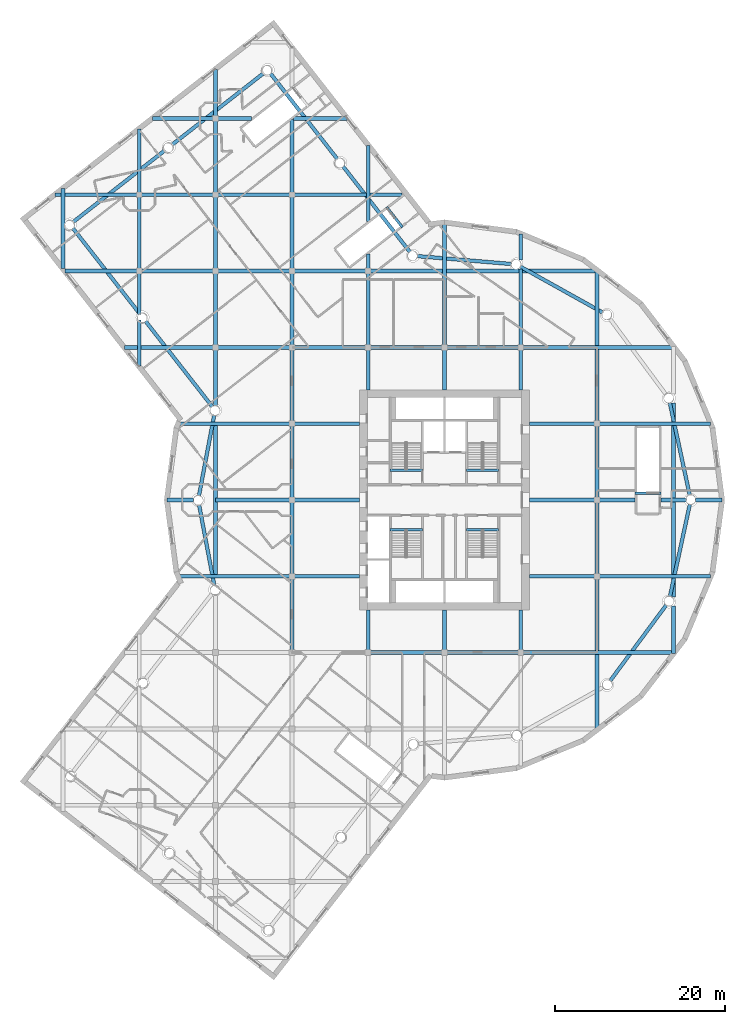
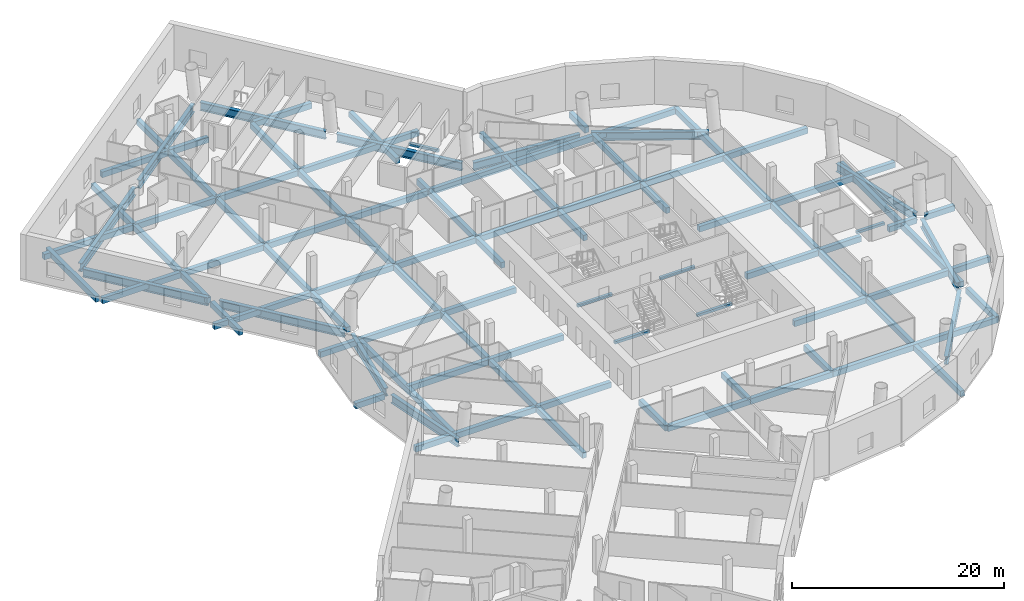
# One storey, part 2 of 15: 91 beams.
"""IFC4 building model written with IfcOpenShell, lengths in metres."""

from ifc_helpers import new_model, si_unit, direction, frame, origin, origin_2d, place, context, subcontext, project, spatial, rectangle, i_section, extrude, material, material_profile, profile_set, type_object, element, save


model = new_model("IFC4")

# Units and contexts
model_context = context("Model", 3, precision=1e-05, world=origin(), true_north=direction((0.0, 1.0)))
body_context = subcontext(model_context, "Body", "Model", "MODEL_VIEW")
ifc_project = project(units=[si_unit("LENGTHUNIT", "METRE"), si_unit("AREAUNIT", "SQUARE_METRE"), si_unit("VOLUMEUNIT", "CUBIC_METRE"), si_unit("PLANEANGLEUNIT", "RADIAN"), si_unit("MASSUNIT", "GRAM", prefix="KILO")], contexts=[model_context])

# Site, building, storey
site_placement = place(None, origin())
site = spatial("IfcSite", under=ifc_project, at=site_placement, CompositionType="ELEMENT")
building_placement = place(site_placement, origin())
building = spatial("IfcBuilding", under=site, at=building_placement, Name="Tarsis Ring Headquarters", CompositionType="ELEMENT")
storey_placement = place(building_placement, frame((0.0, 0.0, 30.0)))
storey = spatial("IfcBuildingStorey", under=building, at=storey_placement, Name="L05", CompositionType="ELEMENT", Elevation=30.0)

# Beams
ifc_material_1 = material(Name="Concrete C40/50", Category="concrete")
ifc_material_profile_1 = material_profile(ifc_material_1, rectangle(XDim=0.449951171875, YDim=0.64990234375, at=origin_2d()), Name="PO-B450")
ifc_profile_set_1 = profile_set([ifc_material_profile_1], Name="Concrete C40/50")
beam_type_1 = type_object("IfcBeamType", Name="PO-B450", PredefinedType="BEAM", material=ifc_profile_set_1)
beam_1_placement = place(storey_placement, frame((-45.0, 27.3046875, -0.574951171875), z_axis=(0.0, 1.0, 0.0), x_axis=(-1.0, 0.0, 0.0)))
element("IfcBeam", 1, at=beam_1_placement, inside=storey, type_object=beam_type_1, Name="L05 floor beam 2", PredefinedType="BEAM", context=body_context, shape_type="SweptSolid", body=[
    extrude(rectangle(XDim=0.449951171875, YDim=0.64990234375, at=origin_2d()), origin(), (0.0, 0.0, 1.0), 9.42724609375),
])
beam_2_placement = place(storey_placement, frame((-36.0, 15.78515625, -0.574951171875), z_axis=(0.0, 1.0, 0.0), x_axis=(-1.0, 0.0, 0.0)))
element("IfcBeam", 2, at=beam_2_placement, inside=storey, type_object=beam_type_1, Name="L05 floor beam 7", PredefinedType="BEAM", context=body_context, shape_type="SweptSolid", body=[
    extrude(rectangle(XDim=0.449951171875, YDim=0.64990234375, at=origin_2d()), origin(), (0.0, 0.0, 1.0), 5.44140625),
])
beam_3_placement = place(storey_placement, frame((-36.0, 21.853515625, -0.574951171875), z_axis=(0.0, 1.0, 0.0), x_axis=(-1.0, 0.0, 0.0)))
element("IfcBeam", 3, at=beam_3_placement, inside=storey, type_object=beam_type_1, Name="L05 floor beam 8", PredefinedType="BEAM", context=body_context, shape_type="SweptSolid", body=[
    extrude(rectangle(XDim=0.449951171875, YDim=0.64990234375, at=origin_2d()), origin(), (0.0, 0.0, 1.0), 5.146484375),
])
beam_4_placement = place(storey_placement, frame((-36.0, 27.0, -0.574951171875), z_axis=(0.0, 1.0, 0.0), x_axis=(-1.0, 0.0, 0.0)))
element("IfcBeam", 4, at=beam_4_placement, inside=storey, type_object=beam_type_1, Name="L05 floor beam 9", PredefinedType="BEAM", context=body_context, shape_type="SweptSolid", body=[
    extrude(rectangle(XDim=0.449951171875, YDim=0.64990234375, at=origin_2d()), origin(), (0.0, 0.0, 1.0), 9.0),
])
beam_5_placement = place(storey_placement, frame((-36.0, 36.0, -0.574951171875), z_axis=(0.0, 1.0, 0.0), x_axis=(-1.0, 0.0, 0.0)))
element("IfcBeam", 5, at=beam_5_placement, inside=storey, type_object=beam_type_1, Name="L05 floor beam 10", PredefinedType="BEAM", context=body_context, shape_type="SweptSolid", body=[
    extrude(rectangle(XDim=0.449951171875, YDim=0.64990234375, at=origin_2d()), origin(), (0.0, 0.0, 1.0), 7.763671875),
])
beam_6_placement = place(storey_placement, frame((-27.0, -9.0, -0.574951171875), z_axis=(0.0, 1.0, 0.0), x_axis=(-1.0, 0.0, 0.0)))
element("IfcBeam", 6, at=beam_6_placement, inside=storey, type_object=beam_type_1, Name="L05 floor beam 16", PredefinedType="BEAM", context=body_context, shape_type="SweptSolid", body=[
    extrude(rectangle(XDim=0.449951171875, YDim=0.64990234375, at=origin_2d()), origin(), (0.0, 0.0, 1.0), 18.0),
])
beam_7_placement = place(storey_placement, frame((-27.0, 11.082275390625, -0.574951171875), z_axis=(0.0, 1.0, 0.0), x_axis=(-1.0, 0.0, 0.0)))
element("IfcBeam", 7, at=beam_7_placement, inside=storey, type_object=beam_type_1, Name="L05 floor beam 17", PredefinedType="BEAM", context=body_context, shape_type="SweptSolid", body=[
    extrude(rectangle(XDim=0.449951171875, YDim=0.64990234375, at=origin_2d()), origin(), (0.0, 0.0, 1.0), 6.917724609375),
])
for number, where, z_axis, x_axis, name in (
    (8, (-27.0, 18.0, -0.574951171875), (0.0, 1.0, 0.0), (-1.0, 0.0, 0.0), "L05 floor beam 18"),
    (9, (-27.0, 27.0, -0.574951171875), (0.0, 1.0, 0.0), (-1.0, 0.0, 0.0), "L05 floor beam 19"),
    (10, (-27.0, 36.0, -0.574951171875), (0.0, 1.0, 0.0), (-1.0, 0.0, 0.0), "L05 floor beam 20"),
):
    element("IfcBeam", number, at=place(storey_placement, frame(where, z_axis=z_axis, x_axis=x_axis)), inside=storey, type_object=beam_type_1, Name=name, PredefinedType="BEAM", context=body_context, shape_type="SweptSolid", body=[
        extrude(rectangle(XDim=0.449951171875, YDim=0.64990234375, at=origin_2d()), origin(), (0.0, 0.0, 1.0), 9.0),
    ])
beam_8_placement = place(storey_placement, frame((-27.0, 45.0, -0.574951171875), z_axis=(0.0, 1.0, 0.0), x_axis=(-1.0, 0.0, 0.0)))
element("IfcBeam", 11, at=beam_8_placement, inside=storey, type_object=beam_type_1, Name="L05 floor beam 21", PredefinedType="BEAM", context=body_context, shape_type="SweptSolid", body=[
    extrude(rectangle(XDim=0.449951171875, YDim=0.64990234375, at=origin_2d()), origin(), (0.0, 0.0, 1.0), 5.795166015625),
])
for number, where, z_axis, x_axis, name in (
    (12, (-18.0, -18.0, -0.574951171875), (0.0, 1.0, 0.0), (-1.0, 0.0, 0.0), "L05 floor beam 26"),
    (13, (-18.0, -9.0, -0.574951171875), (0.0, 1.0, 0.0), (-1.0, 0.0, 0.0), "L05 floor beam 27"),
    (14, (-18.0, 0.0, -0.574951171875), (0.0, 1.0, 0.0), (-1.0, 0.0, 0.0), "L05 floor beam 28"),
    (15, (-18.0, 9.0, -0.574951171875), (0.0, 1.0, 0.0), (-1.0, 0.0, 0.0), "L05 floor beam 29"),
    (16, (-18.0, 18.0, -0.574951171875), (0.0, 1.0, 0.0), (-1.0, 0.0, 0.0), "L05 floor beam 30"),
    (17, (-18.0, 27.0, -0.574951171875), (0.0, 1.0, 0.0), (-1.0, 0.0, 0.0), "L05 floor beam 31"),
):
    element("IfcBeam", number, at=place(storey_placement, frame(where, z_axis=z_axis, x_axis=x_axis)), inside=storey, type_object=beam_type_1, Name=name, PredefinedType="BEAM", context=body_context, shape_type="SweptSolid", body=[
        extrude(rectangle(XDim=0.449951171875, YDim=0.64990234375, at=origin_2d()), origin(), (0.0, 0.0, 1.0), 9.0),
    ])
beam_9_placement = place(storey_placement, frame((-18.0, 36.0, -0.574951171875), z_axis=(0.0, 1.0, 0.0), x_axis=(-1.0, 0.0, 0.0)))
element("IfcBeam", 18, at=beam_9_placement, inside=storey, type_object=beam_type_1, Name="L05 floor beam 32", PredefinedType="BEAM", context=body_context, shape_type="SweptSolid", body=[
    extrude(rectangle(XDim=0.449951171875, YDim=0.64990234375, at=origin_2d()), origin(), (0.0, 0.0, 1.0), 8.8623046875),
])
for number, where, z_axis, x_axis, name in (
    (19, (-9.0, -18.0, -0.574951171875), (0.0, 1.0, 0.0), (-1.0, 0.0, 0.0), "L05 floor beam 37"),
    (20, (-9.0, 13.0, -0.574951171875), (0.0, 1.0, 0.0), (-1.0, 0.0, 0.0), "L05 floor beam 38"),
):
    element("IfcBeam", number, at=place(storey_placement, frame(where, z_axis=z_axis, x_axis=x_axis)), inside=storey, type_object=beam_type_1, Name=name, PredefinedType="BEAM", context=body_context, shape_type="SweptSolid", body=[
        extrude(rectangle(XDim=0.449951171875, YDim=0.64990234375, at=origin_2d()), origin(), (0.0, 0.0, 1.0), 5.0),
    ])
beam_10_placement = place(storey_placement, frame((-9.0, 18.0, -0.574951171875), z_axis=(0.0, 1.0, 0.0), x_axis=(-1.0, 0.0, 0.0)))
element("IfcBeam", 21, at=beam_10_placement, inside=storey, type_object=beam_type_1, Name="L05 floor beam 39", PredefinedType="BEAM", context=body_context, shape_type="SweptSolid", body=[
    extrude(rectangle(XDim=0.449951171875, YDim=0.64990234375, at=origin_2d()), origin(), (0.0, 0.0, 1.0), 9.0),
])
beam_11_placement = place(storey_placement, frame((-9.0, 27.0, -0.574951171875), z_axis=(0.0, 1.0, 0.0), x_axis=(-1.0, 0.0, 0.0)))
element("IfcBeam", 22, at=beam_11_placement, inside=storey, type_object=beam_type_1, Name="L05 floor beam 40", PredefinedType="BEAM", context=body_context, shape_type="SweptSolid", body=[
    extrude(rectangle(XDim=0.449951171875, YDim=0.64990234375, at=origin_2d()), origin(), (0.0, 0.0, 1.0), 2.003173828125),
])
beam_12_placement = place(storey_placement, frame((-9.0, 32.872314453125, -0.574951171875), z_axis=(0.0, 1.0, 0.0), x_axis=(-1.0, 0.0, 0.0)))
element("IfcBeam", 23, at=beam_12_placement, inside=storey, type_object=beam_type_1, Name="L05 floor beam 41", PredefinedType="BEAM", context=body_context, shape_type="SweptSolid", body=[
    extrude(rectangle(XDim=0.449951171875, YDim=0.64990234375, at=origin_2d()), origin(), (0.0, 0.0, 1.0), 8.939697265625),
])
for number, where, z_axis, x_axis, name in (
    (24, (0.0, -18.0, -0.574951171875), (0.0, 1.0, 0.0), (-1.0, 0.0, 0.0), "L05 floor beam 43"),
    (25, (0.0, 13.0, -0.574951171875), (0.0, 1.0, 0.0), (-1.0, 0.0, 0.0), "L05 floor beam 44"),
):
    element("IfcBeam", number, at=place(storey_placement, frame(where, z_axis=z_axis, x_axis=x_axis)), inside=storey, type_object=beam_type_1, Name=name, PredefinedType="BEAM", context=body_context, shape_type="SweptSolid", body=[
        extrude(rectangle(XDim=0.449951171875, YDim=0.64990234375, at=origin_2d()), origin(), (0.0, 0.0, 1.0), 5.0),
    ])
beam_13_placement = place(storey_placement, frame((0.0, 18.0, -0.574951171875), z_axis=(0.0, 1.0, 0.0), x_axis=(-1.0, 0.0, 0.0)))
element("IfcBeam", 26, at=beam_13_placement, inside=storey, type_object=beam_type_1, Name="L05 floor beam 45", PredefinedType="BEAM", context=body_context, shape_type="SweptSolid", body=[
    extrude(rectangle(XDim=0.449951171875, YDim=0.64990234375, at=origin_2d()), origin(), (0.0, 0.0, 1.0), 14.70458984375),
])
for number, where, z_axis, x_axis, name in (
    (27, (9.0, -18.0, -0.574951171875), (0.0, 1.0, 0.0), (-1.0, 0.0, 0.0), "L05 floor beam 48"),
    (28, (9.0, 13.0, -0.574951171875), (0.0, 1.0, 0.0), (-1.0, 0.0, 0.0), "L05 floor beam 49"),
):
    element("IfcBeam", number, at=place(storey_placement, frame(where, z_axis=z_axis, x_axis=x_axis)), inside=storey, type_object=beam_type_1, Name=name, PredefinedType="BEAM", context=body_context, shape_type="SweptSolid", body=[
        extrude(rectangle(XDim=0.449951171875, YDim=0.64990234375, at=origin_2d()), origin(), (0.0, 0.0, 1.0), 5.0),
    ])
beam_14_placement = place(storey_placement, frame((9.0, 18.0, -0.574951171875), z_axis=(0.0, 1.0, 0.0), x_axis=(-1.0, 0.0, 0.0)))
element("IfcBeam", 29, at=beam_14_placement, inside=storey, type_object=beam_type_1, Name="L05 floor beam 50", PredefinedType="BEAM", context=body_context, shape_type="SweptSolid", body=[
    extrude(rectangle(XDim=0.449951171875, YDim=0.64990234375, at=origin_2d()), origin(), (0.0, 0.0, 1.0), 9.245361328125),
])
beam_15_placement = place(storey_placement, frame((9.0, 28.3212890625, -0.574951171875), z_axis=(0.0, 1.0, 0.0), x_axis=(-1.0, 0.0, 0.0)))
element("IfcBeam", 30, at=beam_15_placement, inside=storey, type_object=beam_type_1, Name="L05 floor beam 51", PredefinedType="BEAM", context=body_context, shape_type="SweptSolid", body=[
    extrude(rectangle(XDim=0.449951171875, YDim=0.64990234375, at=origin_2d()), origin(), (0.0, 0.0, 1.0), 3.050048828125),
])
beam_16_placement = place(storey_placement, frame((18.0, -27.062255859375, -0.574951171875), z_axis=(0.0, 1.0, 0.0), x_axis=(-1.0, 0.0, 0.0)))
element("IfcBeam", 31, at=beam_16_placement, inside=storey, type_object=beam_type_1, Name="L05 floor beam 52", PredefinedType="BEAM", context=body_context, shape_type="SweptSolid", body=[
    extrude(rectangle(XDim=0.449951171875, YDim=0.64990234375, at=origin_2d()), origin(), (0.0, 0.0, 1.0), 18.062255859375),
])
for number, where, z_axis, x_axis, name in (
    (32, (18.0, -9.0, -0.574951171875), (0.0, 1.0, 0.0), (-1.0, 0.0, 0.0), "L05 floor beam 53"),
    (33, (18.0, 0.0, -0.574951171875), (0.0, 1.0, 0.0), (-1.0, 0.0, 0.0), "L05 floor beam 54"),
):
    element("IfcBeam", number, at=place(storey_placement, frame(where, z_axis=z_axis, x_axis=x_axis)), inside=storey, type_object=beam_type_1, Name=name, PredefinedType="BEAM", context=body_context, shape_type="SweptSolid", body=[
        extrude(rectangle(XDim=0.449951171875, YDim=0.64990234375, at=origin_2d()), origin(), (0.0, 0.0, 1.0), 9.0),
    ])
beam_17_placement = place(storey_placement, frame((18.0, 9.0, -0.574951171875), z_axis=(0.0, 1.0, 0.0), x_axis=(-1.0, 0.0, 0.0)))
element("IfcBeam", 34, at=beam_17_placement, inside=storey, type_object=beam_type_1, Name="L05 floor beam 55", PredefinedType="BEAM", context=body_context, shape_type="SweptSolid", body=[
    extrude(rectangle(XDim=0.449951171875, YDim=0.64990234375, at=origin_2d()), origin(), (0.0, 0.0, 1.0), 18.062255859375),
])
beam_18_placement = place(storey_placement, frame((27.0, -18.0810546875, -0.574951171875), z_axis=(0.0, 1.0, 0.0), x_axis=(-1.0, 0.0, 0.0)))
element("IfcBeam", 35, at=beam_18_placement, inside=storey, type_object=beam_type_1, Name="L05 floor beam 56", PredefinedType="BEAM", context=body_context, shape_type="SweptSolid", body=[
    extrude(rectangle(XDim=0.449951171875, YDim=0.64990234375, at=origin_2d()), origin(), (0.0, 0.0, 1.0), 5.58203125),
])
beam_19_placement = place(storey_placement, frame((27.0, -11.447998046875, -0.574951171875), z_axis=(0.0, 1.0, 0.0), x_axis=(-1.0, 0.0, 0.0)))
element("IfcBeam", 36, at=beam_19_placement, inside=storey, type_object=beam_type_1, Name="L05 floor beam 57", PredefinedType="BEAM", context=body_context, shape_type="SweptSolid", body=[
    extrude(rectangle(XDim=0.449951171875, YDim=0.64990234375, at=origin_2d()), origin(), (0.0, 0.0, 1.0), 22.89599609375),
])
for number, where, z_axis, x_axis, name in (
    (37, (-9.0, -18.0, -0.574951171875), (1.0, 0.0, 0.0), (0.0, 1.0, 0.0), "L05 floor beam 75"),
    (38, (0.0, -18.0, -0.574951171875), (1.0, 0.0, 0.0), (0.0, 1.0, 0.0), "L05 floor beam 76"),
):
    element("IfcBeam", number, at=place(storey_placement, frame(where, z_axis=z_axis, x_axis=x_axis)), inside=storey, type_object=beam_type_1, Name=name, PredefinedType="BEAM", context=body_context, shape_type="SweptSolid", body=[
        extrude(rectangle(XDim=0.449951171875, YDim=0.64990234375, at=origin_2d()), origin(), (0.0, 0.0, 1.0), 9.0),
    ])
beam_20_placement = place(storey_placement, frame((9.0, -18.0, -0.574951171875), z_axis=(1.0, 0.0, 0.0), x_axis=(0.0, 1.0, 0.0)))
element("IfcBeam", 39, at=beam_20_placement, inside=storey, type_object=beam_type_1, Name="L05 floor beam 77", PredefinedType="BEAM", context=body_context, shape_type="SweptSolid", body=[
    extrude(rectangle(XDim=0.449951171875, YDim=0.64990234375, at=origin_2d()), origin(), (0.0, 0.0, 1.0), 18.062255859375),
])
beam_21_placement = place(storey_placement, frame((-31.371337890625, -9.0, -0.574951171875), z_axis=(1.0, 0.0, 0.0), x_axis=(0.0, 1.0, 0.0)))
element("IfcBeam", 40, at=beam_21_placement, inside=storey, type_object=beam_type_1, Name="L05 floor beam 78", PredefinedType="BEAM", context=body_context, shape_type="SweptSolid", body=[
    extrude(rectangle(XDim=0.449951171875, YDim=0.64990234375, at=origin_2d()), origin(), (0.0, 0.0, 1.0), 13.371337890625),
])
for number, where, z_axis, x_axis, name in (
    (41, (-18.0, -9.0, -0.574951171875), (1.0, 0.0, 0.0), (0.0, 1.0, 0.0), "L05 floor beam 79"),
    (42, (10.0, -9.0, -0.574951171875), (1.0, 0.0, 0.0), (0.0, 1.0, 0.0), "L05 floor beam 80"),
):
    element("IfcBeam", number, at=place(storey_placement, frame(where, z_axis=z_axis, x_axis=x_axis)), inside=storey, type_object=beam_type_1, Name=name, PredefinedType="BEAM", context=body_context, shape_type="SweptSolid", body=[
        extrude(rectangle(XDim=0.449951171875, YDim=0.64990234375, at=origin_2d()), origin(), (0.0, 0.0, 1.0), 8.0),
    ])
beam_22_placement = place(storey_placement, frame((18.0, -9.0, -0.574951171875), z_axis=(1.0, 0.0, 0.0), x_axis=(0.0, 1.0, 0.0)))
element("IfcBeam", 43, at=beam_22_placement, inside=storey, type_object=beam_type_1, Name="L05 floor beam 81", PredefinedType="BEAM", context=body_context, shape_type="SweptSolid", body=[
    extrude(rectangle(XDim=0.449951171875, YDim=0.64990234375, at=origin_2d()), origin(), (0.0, 0.0, 1.0), 13.371337890625),
])
beam_23_placement = place(storey_placement, frame((-32.70458984375, 0.0, -0.574951171875), z_axis=(1.0, 0.0, 0.0), x_axis=(0.0, 1.0, 0.0)))
element("IfcBeam", 44, at=beam_23_placement, inside=storey, type_object=beam_type_1, Name="L05 floor beam 82", PredefinedType="BEAM", context=body_context, shape_type="SweptSolid", body=[
    extrude(rectangle(XDim=0.449951171875, YDim=0.64990234375, at=origin_2d()), origin(), (0.0, 0.0, 1.0), 3.156005859375),
])
beam_24_placement = place(storey_placement, frame((-27.0, 0.0, -0.574951171875), z_axis=(1.0, 0.0, 0.0), x_axis=(0.0, 1.0, 0.0)))
element("IfcBeam", 45, at=beam_24_placement, inside=storey, type_object=beam_type_1, Name="L05 floor beam 83", PredefinedType="BEAM", context=body_context, shape_type="SweptSolid", body=[
    extrude(rectangle(XDim=0.449951171875, YDim=0.64990234375, at=origin_2d()), origin(), (0.0, 0.0, 1.0), 9.0),
])
for number, where, z_axis, x_axis, name in (
    (46, (-18.0, 0.0, -0.574951171875), (1.0, 0.0, 0.0), (0.0, 1.0, 0.0), "L05 floor beam 84"),
    (47, (10.0, 0.0, -0.574951171875), (1.0, 0.0, 0.0), (0.0, 1.0, 0.0), "L05 floor beam 85"),
):
    element("IfcBeam", number, at=place(storey_placement, frame(where, z_axis=z_axis, x_axis=x_axis)), inside=storey, type_object=beam_type_1, Name=name, PredefinedType="BEAM", context=body_context, shape_type="SweptSolid", body=[
        extrude(rectangle(XDim=0.449951171875, YDim=0.64990234375, at=origin_2d()), origin(), (0.0, 0.0, 1.0), 8.0),
    ])
beam_25_placement = place(storey_placement, frame((18.0, 0.0, -0.574951171875), z_axis=(1.0, 0.0, 0.0), x_axis=(0.0, 1.0, 0.0)))
element("IfcBeam", 48, at=beam_25_placement, inside=storey, type_object=beam_type_1, Name="L05 floor beam 86", PredefinedType="BEAM", context=body_context, shape_type="SweptSolid", body=[
    extrude(rectangle(XDim=0.449951171875, YDim=0.64990234375, at=origin_2d()), origin(), (0.0, 0.0, 1.0), 4.47509765625),
])
beam_26_placement = place(storey_placement, frame((25.52490234375, 0.0, -0.574951171875), z_axis=(1.0, 0.0, 0.0), x_axis=(0.0, 1.0, 0.0)))
element("IfcBeam", 49, at=beam_26_placement, inside=storey, type_object=beam_type_1, Name="L05 floor beam 87", PredefinedType="BEAM", context=body_context, shape_type="SweptSolid", body=[
    extrude(rectangle(XDim=0.449951171875, YDim=0.64990234375, at=origin_2d()), origin(), (0.0, 0.0, 1.0), 3.023681640625),
])
beam_27_placement = place(storey_placement, frame((29.548583984375, 0.0, -0.574951171875), z_axis=(1.0, 0.0, 0.0), x_axis=(0.0, 1.0, 0.0)))
element("IfcBeam", 50, at=beam_27_placement, inside=storey, type_object=beam_type_1, Name="L05 floor beam 88", PredefinedType="BEAM", context=body_context, shape_type="SweptSolid", body=[
    extrude(rectangle(XDim=0.449951171875, YDim=0.64990234375, at=origin_2d()), origin(), (0.0, 0.0, 1.0), 3.156005859375),
])
beam_28_placement = place(storey_placement, frame((-31.371337890625, 9.0, -0.574951171875), z_axis=(1.0, 0.0, 0.0), x_axis=(0.0, 1.0, 0.0)))
element("IfcBeam", 51, at=beam_28_placement, inside=storey, type_object=beam_type_1, Name="L05 floor beam 89", PredefinedType="BEAM", context=body_context, shape_type="SweptSolid", body=[
    extrude(rectangle(XDim=0.449951171875, YDim=0.64990234375, at=origin_2d()), origin(), (0.0, 0.0, 1.0), 13.371337890625),
])
for number, where, z_axis, x_axis, name in (
    (52, (-18.0, 9.0, -0.574951171875), (1.0, 0.0, 0.0), (0.0, 1.0, 0.0), "L05 floor beam 90"),
    (53, (10.0, 9.0, -0.574951171875), (1.0, 0.0, 0.0), (0.0, 1.0, 0.0), "L05 floor beam 91"),
):
    element("IfcBeam", number, at=place(storey_placement, frame(where, z_axis=z_axis, x_axis=x_axis)), inside=storey, type_object=beam_type_1, Name=name, PredefinedType="BEAM", context=body_context, shape_type="SweptSolid", body=[
        extrude(rectangle(XDim=0.449951171875, YDim=0.64990234375, at=origin_2d()), origin(), (0.0, 0.0, 1.0), 8.0),
    ])
beam_29_placement = place(storey_placement, frame((18.0, 9.0, -0.574951171875), z_axis=(1.0, 0.0, 0.0), x_axis=(0.0, 1.0, 0.0)))
element("IfcBeam", 54, at=beam_29_placement, inside=storey, type_object=beam_type_1, Name="L05 floor beam 92", PredefinedType="BEAM", context=body_context, shape_type="SweptSolid", body=[
    extrude(rectangle(XDim=0.449951171875, YDim=0.64990234375, at=origin_2d()), origin(), (0.0, 0.0, 1.0), 13.371337890625),
])
beam_30_placement = place(storey_placement, frame((-37.730224609375, 18.0, -0.574951171875), z_axis=(1.0, 0.0, 0.0), x_axis=(0.0, 1.0, 0.0)))
element("IfcBeam", 55, at=beam_30_placement, inside=storey, type_object=beam_type_1, Name="L05 floor beam 93", PredefinedType="BEAM", context=body_context, shape_type="SweptSolid", body=[
    extrude(rectangle(XDim=0.449951171875, YDim=0.64990234375, at=origin_2d()), origin(), (0.0, 0.0, 1.0), 10.730224609375),
])
for number, where, z_axis, x_axis, name in (
    (56, (-27.0, 18.0, -0.574951171875), (1.0, 0.0, 0.0), (0.0, 1.0, 0.0), "L05 floor beam 94"),
    (57, (-18.0, 18.0, -0.574951171875), (1.0, 0.0, 0.0), (0.0, 1.0, 0.0), "L05 floor beam 95"),
    (58, (-9.0, 18.0, -0.574951171875), (1.0, 0.0, 0.0), (0.0, 1.0, 0.0), "L05 floor beam 96"),
    (59, (0.0, 18.0, -0.574951171875), (1.0, 0.0, 0.0), (0.0, 1.0, 0.0), "L05 floor beam 97"),
):
    element("IfcBeam", number, at=place(storey_placement, frame(where, z_axis=z_axis, x_axis=x_axis)), inside=storey, type_object=beam_type_1, Name=name, PredefinedType="BEAM", context=body_context, shape_type="SweptSolid", body=[
        extrude(rectangle(XDim=0.449951171875, YDim=0.64990234375, at=origin_2d()), origin(), (0.0, 0.0, 1.0), 9.0),
    ])
beam_31_placement = place(storey_placement, frame((9.0, 18.0, -0.574951171875), z_axis=(1.0, 0.0, 0.0), x_axis=(0.0, 1.0, 0.0)))
element("IfcBeam", 60, at=beam_31_placement, inside=storey, type_object=beam_type_1, Name="L05 floor beam 98", PredefinedType="BEAM", context=body_context, shape_type="SweptSolid", body=[
    extrude(rectangle(XDim=0.449951171875, YDim=0.64990234375, at=origin_2d()), origin(), (0.0, 0.0, 1.0), 18.062255859375),
])
beam_32_placement = place(storey_placement, frame((-44.761962890625, 27.0, -0.574951171875), z_axis=(1.0, 0.0, 0.0), x_axis=(0.0, 1.0, 0.0)))
element("IfcBeam", 61, at=beam_32_placement, inside=storey, type_object=beam_type_1, Name="L05 floor beam 99", PredefinedType="BEAM", context=body_context, shape_type="SweptSolid", body=[
    extrude(rectangle(XDim=0.449951171875, YDim=0.64990234375, at=origin_2d()), origin(), (0.0, 0.0, 1.0), 8.761962890625),
])
for number, where, z_axis, x_axis, name in (
    (62, (-36.0, 27.0, -0.574951171875), (1.0, 0.0, 0.0), (0.0, 1.0, 0.0), "L05 floor beam 100"),
    (63, (-27.0, 27.0, -0.574951171875), (1.0, 0.0, 0.0), (0.0, 1.0, 0.0), "L05 floor beam 101"),
    (64, (-18.0, 27.0, -0.574951171875), (1.0, 0.0, 0.0), (0.0, 1.0, 0.0), "L05 floor beam 102"),
):
    element("IfcBeam", number, at=place(storey_placement, frame(where, z_axis=z_axis, x_axis=x_axis)), inside=storey, type_object=beam_type_1, Name=name, PredefinedType="BEAM", context=body_context, shape_type="SweptSolid", body=[
        extrude(rectangle(XDim=0.449951171875, YDim=0.64990234375, at=origin_2d()), origin(), (0.0, 0.0, 1.0), 9.0),
    ])
beam_33_placement = place(storey_placement, frame((-9.0, 27.0, -0.574951171875), z_axis=(1.0, 0.0, 0.0), x_axis=(0.0, 1.0, 0.0)))
element("IfcBeam", 65, at=beam_33_placement, inside=storey, type_object=beam_type_1, Name="L05 floor beam 103", PredefinedType="BEAM", context=body_context, shape_type="SweptSolid", body=[
    extrude(rectangle(XDim=0.449951171875, YDim=0.64990234375, at=origin_2d()), origin(), (0.0, 0.0, 1.0), 27.0810546875),
])
beam_34_placement = place(storey_placement, frame((-45.93701171875, 36.0, -0.574951171875), z_axis=(1.0, 0.0, 0.0), x_axis=(0.0, 1.0, 0.0)))
element("IfcBeam", 66, at=beam_34_placement, inside=storey, type_object=beam_type_1, Name="L05 floor beam 104", PredefinedType="BEAM", context=body_context, shape_type="SweptSolid", body=[
    extrude(rectangle(XDim=0.449951171875, YDim=0.64990234375, at=origin_2d()), origin(), (0.0, 0.0, 1.0), 9.93701171875),
])
for number, where, z_axis, x_axis, name in (
    (67, (-36.0, 36.0, -0.574951171875), (1.0, 0.0, 0.0), (0.0, 1.0, 0.0), "L05 floor beam 105"),
    (68, (-27.0, 36.0, -0.574951171875), (1.0, 0.0, 0.0), (0.0, 1.0, 0.0), "L05 floor beam 106"),
):
    element("IfcBeam", number, at=place(storey_placement, frame(where, z_axis=z_axis, x_axis=x_axis)), inside=storey, type_object=beam_type_1, Name=name, PredefinedType="BEAM", context=body_context, shape_type="SweptSolid", body=[
        extrude(rectangle(XDim=0.449951171875, YDim=0.64990234375, at=origin_2d()), origin(), (0.0, 0.0, 1.0), 9.0),
    ])
beam_35_placement = place(storey_placement, frame((-18.0, 36.0, -0.574951171875), z_axis=(1.0, 0.0, 0.0), x_axis=(0.0, 1.0, 0.0)))
element("IfcBeam", 69, at=beam_35_placement, inside=storey, type_object=beam_type_1, Name="L05 floor beam 107", PredefinedType="BEAM", context=body_context, shape_type="SweptSolid", body=[
    extrude(rectangle(XDim=0.449951171875, YDim=0.64990234375, at=origin_2d()), origin(), (0.0, 0.0, 1.0), 13.0068359375),
])
beam_36_placement = place(storey_placement, frame((-34.41748046875, 45.0, -0.574951171875), z_axis=(1.0, 0.0, 0.0), x_axis=(0.0, 1.0, 0.0)))
element("IfcBeam", 70, at=beam_36_placement, inside=storey, type_object=beam_type_1, Name="L05 floor beam 108", PredefinedType="BEAM", context=body_context, shape_type="SweptSolid", body=[
    extrude(rectangle(XDim=0.449951171875, YDim=0.64990234375, at=origin_2d()), origin(), (0.0, 0.0, 1.0), 7.41748046875),
])
beam_37_placement = place(storey_placement, frame((-27.0, 45.0, -0.574951171875), z_axis=(1.0, 0.0, 0.0), x_axis=(0.0, 1.0, 0.0)))
element("IfcBeam", 71, at=beam_37_placement, inside=storey, type_object=beam_type_1, Name="L05 floor beam 109", PredefinedType="BEAM", context=body_context, shape_type="SweptSolid", body=[
    extrude(rectangle(XDim=0.449951171875, YDim=0.64990234375, at=origin_2d()), origin(), (0.0, 0.0, 1.0), 4.219482421875),
])
beam_38_placement = place(storey_placement, frame((-17.82373046875, 45.0, -0.574951171875), z_axis=(1.0, 0.0, 0.0), x_axis=(0.0, 1.0, 0.0)))
element("IfcBeam", 72, at=beam_38_placement, inside=storey, type_object=beam_type_1, Name="L05 floor beam 110", PredefinedType="BEAM", context=body_context, shape_type="SweptSolid", body=[
    extrude(rectangle(XDim=0.449951171875, YDim=0.64990234375, at=origin_2d()), origin(), (0.0, 0.0, 1.0), 6.3330078125),
])
ifc_material_2 = material(Name="Concrete C60/75", Category="concrete")
ifc_material_profile_2 = material_profile(ifc_material_2, rectangle(XDim=0.300048828125, YDim=0.300048828125, at=origin_2d()), Name="PO-SHB300")
ifc_profile_set_2 = profile_set([ifc_material_profile_2], Name="Concrete C60/75")
beam_type_2 = type_object("IfcBeamType", Name="PO-SHB300", PredefinedType="BEAM", material=ifc_profile_set_2)
beam_39_placement = place(storey_placement, frame((25.52490234375, 0.780029296875, -0.39990234375), z_axis=(-1.0, 0.0, 0.0), x_axis=(0.0, -1.0, 0.0)))
element("IfcBeam", 73, at=beam_39_placement, inside=storey, type_object=beam_type_2, Name="Stair head beam L05 PS1", PredefinedType="BEAM", context=body_context, shape_type="SweptSolid", body=[
    extrude(rectangle(XDim=0.300048828125, YDim=0.300048828125, at=origin_2d()), origin(), (0.0, 0.0, 1.0), 3.0498046875),
])
beam_40_placement = place(storey_placement, frame((-6.83203125, 34.564697265625, -0.39990234375), z_axis=(0.615308465652, -0.788286427701, 0.0), x_axis=(0.788286427701, 0.615308465652, 0.0)))
element("IfcBeam", 74, at=beam_40_placement, inside=storey, type_object=beam_type_2, Name="Stair head beam L05 PS3", PredefinedType="BEAM", context=body_context, shape_type="SweptSolid", body=[
    extrude(rectangle(XDim=0.300048828125, YDim=0.300048828125, at=origin_2d()), origin(), (0.0, 0.0, 1.0), 3.050048828125),
])
ifc_material_profile_3 = material_profile(ifc_material_1, rectangle(XDim=0.300048828125, YDim=0.300048828125, at=origin_2d()), Name="Stair head beam 300x300 C40/50")
ifc_profile_set_3 = profile_set([ifc_material_profile_3], Name="Concrete C40/50")
beam_type_3 = type_object("IfcBeamType", Name="Stair head beam 300x300 C40/50", PredefinedType="BEAM", material=ifc_profile_set_3)
for number, where, z_axis, x_axis, name in (
    (75, (-6.39990234375, 3.510009765625, -0.39990234375), (1.0, 0.0, 0.0), (0.0, 1.0, 0.0), "Stair head beam L05 Firefighting stair"),
    (76, (2.60009765625, 3.510009765625, -0.39990234375), (1.0, 0.0, 0.0), (0.0, 1.0, 0.0), "Stair head beam L05 Exit stair B"),
    (77, (-6.39990234375, -3.510009765625, -0.39990234375), (1.0, 0.0, 0.0), (0.0, 1.0, 0.0), "Stair head beam L05 Exit stair C"),
    (78, (2.60009765625, -3.510009765625, -0.39990234375), (1.0, 0.0, 0.0), (0.0, 1.0, 0.0), "Stair head beam L05 Exit stair D"),
):
    element("IfcBeam", number, at=place(storey_placement, frame(where, z_axis=z_axis, x_axis=x_axis)), inside=storey, type_object=beam_type_3, Name=name, PredefinedType="BEAM", context=body_context, shape_type="SweptSolid", body=[
        extrude(rectangle(XDim=0.300048828125, YDim=0.300048828125, at=origin_2d()), origin(), (0.0, 0.0, 1.0), 3.7998046875),
    ])
ifc_material_3 = material(Name="Structural steel S355", Category="steel")
ifc_material_profile_4 = material_profile(ifc_material_3, i_section(OverallWidth=0.42431640625, OverallDepth=0.947509765625, WebThickness=0.02392578125, FlangeThickness=0.042724609375, at=origin_2d()), Name="W36x302")
ifc_profile_set_4 = profile_set([ifc_material_profile_4], Name="Structural steel S355")
beam_type_4 = type_object("IfcBeamType", Name="XG Ring girder W36x302", PredefinedType="BEAM", material=ifc_profile_set_4)
beam_41_placement = place(storey_placement, frame((-28.94677734375, -0.5390625, -0.7236328125), z_axis=(0.185403721267, -0.982662434481, 0.0), x_axis=(0.982662434481, 0.185403721267, 0.0)))
element("IfcBeam", 79, at=beam_41_placement, inside=storey, type_object=beam_type_4, Name="Ring girder XG1", PredefinedType="BEAM", context=body_context, shape_type="SweptSolid", body=[
    extrude(i_section(OverallWidth=0.42431640625, OverallDepth=0.947509765625, WebThickness=0.02392578125, FlangeThickness=0.042724609375, at=origin_2d()), origin(), (0.0, 0.0, 1.0), 9.674560546875),
])
for number, where, z_axis, x_axis, name in (
    (80, (19.504150390625, -21.377197265625, -0.7236328125), (0.595024911632, 0.80370725674, 0.0), (-0.80370725674, 0.595024911632, 0.0), "Ring girder XG1"),
    (81, (26.581787109375, -11.437255859375, -0.7236328125), (0.2108296684, 0.977522813505, 0.0), (-0.977522813505, 0.2108296684, 0.0), "Ring girder XG1"),
    (82, (28.932861328125, 0.536376953125, -0.7236328125), (-0.2108296684, 0.977522813505, 0.0), (-0.977522813505, -0.2108296684, 0.0), "Ring girder XG1"),
    (83, (18.698486328125, 22.085205078125, -0.7236328125), (-0.873397184148, 0.487008581776, 0.0), (-0.487008581776, -0.873397184148, 0.0), "Ring girder XG1"),
):
    element("IfcBeam", number, at=place(storey_placement, frame(where, z_axis=z_axis, x_axis=x_axis)), inside=storey, type_object=beam_type_4, Name=name, PredefinedType="BEAM", context=body_context, shape_type="SweptSolid", body=[
        extrude(i_section(OverallWidth=0.42431640625, OverallDepth=0.947509765625, WebThickness=0.02392578125, FlangeThickness=0.042724609375, at=origin_2d()), origin(), (0.0, 0.0, 1.0), 11.151611328125),
    ])
beam_42_placement = place(storey_placement, frame((7.932861328125, 27.8291015625, -0.7236328125), z_axis=(-0.996489363019, 0.083719468411, 0.0), x_axis=(-0.083719468411, -0.996489363019, 0.0)))
element("IfcBeam", 84, at=beam_42_placement, inside=storey, type_object=beam_type_4, Name="Ring girder XG1", PredefinedType="BEAM", context=body_context, shape_type="SweptSolid", body=[
    extrude(i_section(OverallWidth=0.42431640625, OverallDepth=0.947509765625, WebThickness=0.02392578125, FlangeThickness=0.042724609375, at=origin_2d()), origin(), (0.0, 0.0, 1.0), 11.1513671875),
])
for number, where, z_axis, x_axis, name in (
    (85, (-4.06396484375, 29.240966796875, -0.7236328125), (-0.615666981287, 0.788006451847, 0.0), (-0.788006451847, -0.615666981287, 0.0), "Ring girder XG1"),
    (86, (-12.623046875, 40.196044921875, -0.7236328125), (-0.615666981287, 0.788006451847, 0.0), (-0.788006451847, -0.615666981287, 0.0), "Ring girder XG1"),
):
    element("IfcBeam", number, at=place(storey_placement, frame(where, z_axis=z_axis, x_axis=x_axis)), inside=storey, type_object=beam_type_4, Name=name, PredefinedType="BEAM", context=body_context, shape_type="SweptSolid", body=[
        extrude(i_section(OverallWidth=0.42431640625, OverallDepth=0.947509765625, WebThickness=0.02392578125, FlangeThickness=0.042724609375, at=origin_2d()), origin(), (0.0, 0.0, 1.0), 12.804931640625),
    ])
for number, where, z_axis, x_axis, name in (
    (87, (-21.276611328125, 50.380859375, -0.7236328125), (-0.788023563374, -0.61564507922, 0.0), (0.61564507922, -0.788023563374, 0.0), "Ring girder XG1"),
    (88, (-32.939208984375, 41.269287109375, -0.7236328125), (-0.7880081664, -0.615664786785, 0.0), (0.615664786785, -0.7880081664, 0.0), "Ring girder XG1"),
):
    element("IfcBeam", number, at=place(storey_placement, frame(where, z_axis=z_axis, x_axis=x_axis)), inside=storey, type_object=beam_type_4, Name=name, PredefinedType="BEAM", context=body_context, shape_type="SweptSolid", body=[
        extrude(i_section(OverallWidth=0.42431640625, OverallDepth=0.947509765625, WebThickness=0.02392578125, FlangeThickness=0.042724609375, at=origin_2d()), origin(), (0.0, 0.0, 1.0), 13.70263671875),
    ])
for number, where, z_axis, x_axis, name in (
    (89, (-43.831787109375, 32.062744140625, -0.7236328125), (0.615666981287, -0.788006451847, 0.0), (0.788006451847, 0.615666981287, 0.0), "Ring girder XG1"),
    (90, (-35.272705078125, 21.107666015625, -0.7236328125), (0.615666981287, -0.788006451847, 0.0), (0.788006451847, 0.615666981287, 0.0), "Ring girder XG1"),
):
    element("IfcBeam", number, at=place(storey_placement, frame(where, z_axis=z_axis, x_axis=x_axis)), inside=storey, type_object=beam_type_4, Name=name, PredefinedType="BEAM", context=body_context, shape_type="SweptSolid", body=[
        extrude(i_section(OverallWidth=0.42431640625, OverallDepth=0.947509765625, WebThickness=0.02392578125, FlangeThickness=0.042724609375, at=origin_2d()), origin(), (0.0, 0.0, 1.0), 12.804931640625),
    ])
beam_43_placement = place(storey_placement, frame((-27.153076171875, 10.0458984375, -0.7236328125), z_axis=(-0.185403721267, -0.982662434481, 0.0), x_axis=(0.982662434481, -0.185403721267, 0.0)))
element("IfcBeam", 91, at=beam_43_placement, inside=storey, type_object=beam_type_4, Name="Ring girder XG1", PredefinedType="BEAM", context=body_context, shape_type="SweptSolid", body=[
    extrude(i_section(OverallWidth=0.42431640625, OverallDepth=0.947509765625, WebThickness=0.02392578125, FlangeThickness=0.042724609375, at=origin_2d()), origin(), (0.0, 0.0, 1.0), 9.674560546875),
])

save(model, "model.ifc")
